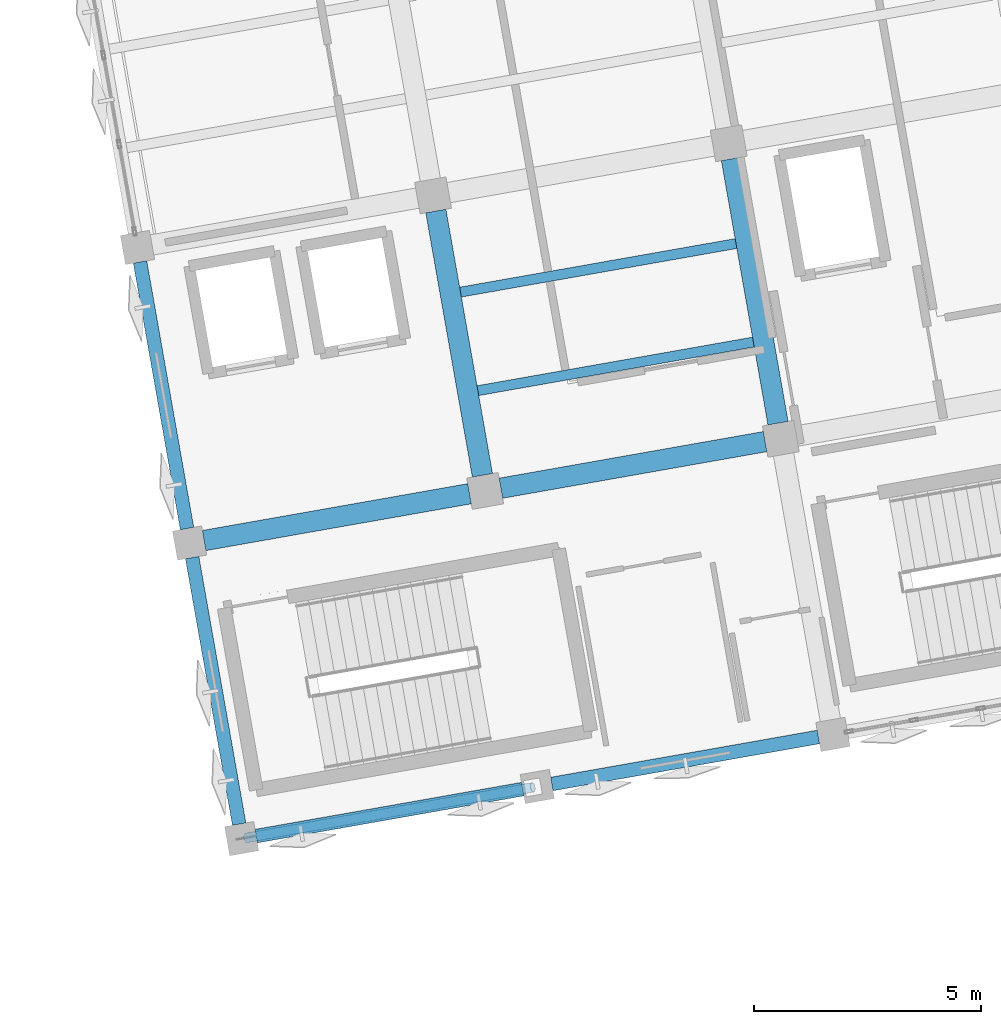
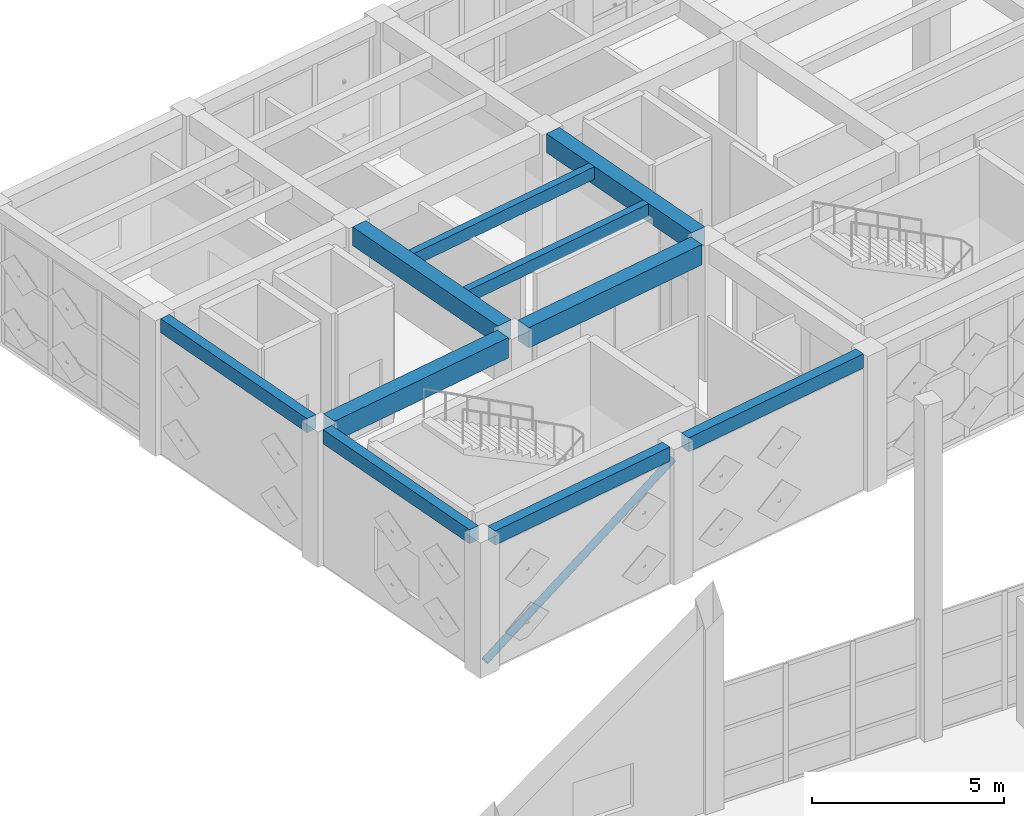
# One storey, part 4 of 39: 10 beams, 1 member.
"""IFC4 building model written with IfcOpenShell, lengths in metres."""

import ifcopenshell
import ifcopenshell.guid

model = None  # the IFC model being written
_history = None  # IfcOwnerHistory: only IFC2X3 demands one
_inside = {}  # id of a spatial element -> (the spatial element, [elements in it])
_under = {}  # id of a project, library or spatial element -> (it, [spatial elements below it])
_declared = {}  # id of a project -> (the project, [libraries it declares])
_typed = {}  # id of a type object -> (the type object, [elements of that type])
_made_of = {}  # id of a material, layer set ... -> (it, [elements and type objects made of it])


def new_model(schema):
    """Start an empty IFC model of exactly this schema.

    Asked for "IFC4X3", IfcOpenShell would pick the latest addendum, in which some entities
    have other attributes; the version numbers below select the first issue.
    IFC2X3 requires an IfcOwnerHistory on every rooted entity: one is made here for all.
    """
    global model, _history
    if schema == "IFC4X3":
        model = ifcopenshell.file(schema_version=(4, 3, 0, 0))
    else:
        model = ifcopenshell.file(schema=schema)
    _inside.clear()
    _under.clear()
    _declared.clear()
    _typed.clear()
    _made_of.clear()
    _history = None
    if model.schema == "IFC2X3":
        org = make("IfcOrganization", Name="unknown")
        user = make(
            "IfcPersonAndOrganization",
            ThePerson=make("IfcPerson", FamilyName="unknown"),
            TheOrganization=org,
        )
        app = make(
            "IfcApplication",
            ApplicationDeveloper=org,
            Version="unknown",
            ApplicationFullName="unknown",
            ApplicationIdentifier="unknown",
        )
        _history = make(
            "IfcOwnerHistory",
            OwningUser=user,
            OwningApplication=app,
            ChangeAction="ADDED",
            CreationDate=0,
        )
    return model


def make(cls, **values):
    """One entity of the class cls with the attributes given. An attribute that is None is left unset."""
    return model.create_entity(
        cls, **{name: value for name, value in values.items() if value is not None}
    )


def rooted(cls, **values):
    """An entity with a GlobalId (a new one), such as an element, a storey or a relation."""
    return make(cls, GlobalId=ifcopenshell.guid.new(), OwnerHistory=_history, **values)


def si_unit(unit_type, name, prefix=None):
    """IfcSIUnit, for example si_unit("LENGTHUNIT", "METRE", prefix="MILLI")."""
    return make("IfcSIUnit", UnitType=unit_type, Prefix=prefix, Name=name)


def assignment(units):
    """IfcUnitAssignment: the units of a project."""
    return None if units is None else make("IfcUnitAssignment", Units=units)


def point(xyz):
    """IfcCartesianPoint."""
    return None if xyz is None else make("IfcCartesianPoint", Coordinates=xyz)


def direction(xyz):
    """IfcDirection."""
    return None if xyz is None else make("IfcDirection", DirectionRatios=xyz)


def frame(location, z_axis=None, x_axis=None):
    """IfcAxis2Placement3D, a coordinate frame: its origin and axes. An axis left out is left unset."""
    return make(
        "IfcAxis2Placement3D",
        Location=point(location),
        Axis=direction(z_axis),
        RefDirection=direction(x_axis),
    )


def frame_2d(location, x_axis=None):
    """IfcAxis2Placement2D, a coordinate frame in the plane: its origin and x axis."""
    return make(
        "IfcAxis2Placement2D", Location=point(location), RefDirection=direction(x_axis)
    )


def origin():
    """The frame at (0, 0, 0) with its axes left unset."""
    return frame((0.0, 0.0, 0.0))


def origin_2d():
    """The frame at (0, 0) in the plane with its x axis left unset."""
    return frame_2d((0.0, 0.0))


def place(relative_to, where):
    """IfcLocalPlacement: puts the frame where relative to a parent placement (None: the world)."""
    return make(
        "IfcLocalPlacement", PlacementRelTo=relative_to, RelativePlacement=where
    )


def context(
    kind, dimensions, precision=None, world=None, true_north=None, identifier=None
):
    """IfcGeometricRepresentationContext, for example the 3D "Model" context."""
    return make(
        "IfcGeometricRepresentationContext",
        ContextIdentifier=identifier,
        ContextType=kind,
        CoordinateSpaceDimension=dimensions,
        Precision=precision,
        WorldCoordinateSystem=world,
        TrueNorth=true_north,
    )


def subcontext(parent, identifier, kind, view, scale=None):
    """IfcGeometricRepresentationSubContext, for example "Body" below "Model"."""
    return make(
        "IfcGeometricRepresentationSubContext",
        ContextIdentifier=identifier,
        ContextType=kind,
        ParentContext=parent,
        TargetScale=scale,
        TargetView=view,
    )


def project(units=None, contexts=None):
    """IfcProject with its units and contexts."""
    return rooted(
        "IfcProject",
        Name="project",
        RepresentationContexts=contexts,
        UnitsInContext=assignment(units),
    )


def spatial(cls, under=None, at=None, **own):
    """A site, building, storey or space (cls), placed at a placement, below another one or the project."""
    s = rooted(cls, ObjectPlacement=at, **own)
    if under is not None:
        _under.setdefault(under.id(), (under, []))[1].append(s)
    return s


def profile(cls, at=None, kind="AREA", **sizes):
    """A parametric profile (cls). Its sizes go by their IFC names, for example OverallWidth=200.0."""
    return make(cls, ProfileType=kind, Position=at, **sizes)


def rectangle(**sizes):
    """IfcRectangleProfileDef."""
    return profile("IfcRectangleProfileDef", **sizes)


def hollow_circle(**sizes):
    """IfcCircleHollowProfileDef."""
    return profile("IfcCircleHollowProfileDef", **sizes)


def extrude(swept, where, along, depth):
    """IfcExtrudedAreaSolid: the profile swept, set in the frame where, extruded along a direction by depth."""
    return make(
        "IfcExtrudedAreaSolid",
        SweptArea=swept,
        Position=where,
        ExtrudedDirection=direction(along),
        Depth=depth,
    )


def shape(context_of_items, identifier, shape_type, items):
    """IfcShapeRepresentation: the items that make up one representation, for example the "Body"."""
    return make(
        "IfcShapeRepresentation",
        ContextOfItems=context_of_items,
        RepresentationIdentifier=identifier,
        RepresentationType=shape_type,
        Items=items,
    )


def material(Name=None, Category=None):
    """IfcMaterial."""
    return make("IfcMaterial", Name=Name, Category=Category)


def material_profile(
    of_material, cross_section, Name=None, Category=None, Priority=None
):
    """IfcMaterialProfile: a cross section and its material."""
    return make(
        "IfcMaterialProfile",
        Name=Name,
        Material=of_material,
        Profile=cross_section,
        Priority=Priority,
        Category=Category,
    )


def profile_set(profiles, Name=None, composite=None):
    """IfcMaterialProfileSet."""
    return make(
        "IfcMaterialProfileSet",
        Name=Name,
        MaterialProfiles=profiles,
        CompositeProfile=composite,
    )


def made_of(thing, what):
    """Note that an element or type object is made of a material, layer set ...; save() writes the relation."""
    if what is not None:
        _made_of.setdefault(what.id(), (what, []))[1].append(thing)
    return thing


def type_object(cls, material=None, **own):
    """A type object (cls), such as IfcWallType, which elements share."""
    return made_of(rooted(cls, **own), material)


def element(
    cls,
    number,
    at=None,
    inside=None,
    cuts=None,
    type_object=None,
    material=None,
    context=None,
    identifier="Body",
    shape_type=None,
    held_by="IfcProductDefinitionShape",
    body=None,
    shapes=None,
    **own,
):
    """One element of the class cls, such as IfcWall. Its Tag is "e" and its number.

    at: its placement. inside: the storey or other place that contains it. cuts: it is an
    opening in that element (IfcRelVoidsElement). A single representation is given by context,
    identifier, shape_type and body (its items); several are given by shapes. held_by: the class
    of the entity that holds the representations. save() writes the other relations.
    """
    e = rooted(cls, Tag="e%d" % number, ObjectPlacement=at, **own)
    if body is not None:
        shapes = [shape(context, identifier, shape_type, body)]
    if shapes is not None:
        e.Representation = make(held_by, Representations=shapes)
    if inside is not None:
        _inside.setdefault(inside.id(), (inside, []))[1].append(e)
    if cuts is not None:
        rooted(
            "IfcRelVoidsElement", RelatingBuildingElement=cuts, RelatedOpeningElement=e
        )
    if type_object is not None:
        _typed.setdefault(type_object.id(), (type_object, []))[1].append(e)
    return made_of(e, material)


def aggregate(whole, parts):
    """IfcRelAggregates: a whole, such as a stair, and the parts it consists of."""
    return rooted("IfcRelAggregates", RelatingObject=whole, RelatedObjects=parts)


def save(model, path):
    """Write the relations noted so far, then the file.

    IfcRelAggregates (storeys below a building ...), IfcRelContainedInSpatialStructure (elements
    in a storey), IfcRelDefinesByType, IfcRelAssociatesMaterial and IfcRelDeclares: one each for
    every whole, place, type object, material and project.
    """
    for whole, parts in _under.values():
        aggregate(whole, parts)
    for where, things in _inside.values():
        rooted(
            "IfcRelContainedInSpatialStructure",
            RelatedElements=things,
            RelatingStructure=where,
        )
    for kind, things in _typed.values():
        rooted("IfcRelDefinesByType", RelatedObjects=things, RelatingType=kind)
    for what, things in _made_of.values():
        rooted("IfcRelAssociatesMaterial", RelatedObjects=things, RelatingMaterial=what)
    for by, libraries in _declared.values():
        rooted("IfcRelDeclares", RelatingContext=by, RelatedDefinitions=libraries)
    model.write(path)


model = new_model("IFC4")

# Units and contexts
model_context = context("Model", 3, precision=1e-05, world=origin(), true_north=direction((0.0, 1.0)))
body_context = subcontext(model_context, "Body", "Model", "MODEL_VIEW")
ifc_project = project(units=[si_unit("LENGTHUNIT", "METRE"), si_unit("AREAUNIT", "SQUARE_METRE"), si_unit("VOLUMEUNIT", "CUBIC_METRE"), si_unit("PLANEANGLEUNIT", "RADIAN"), si_unit("MASSUNIT", "GRAM", prefix="KILO")], contexts=[model_context])

# Site, building, storey
site_placement = place(None, origin())
site = spatial("IfcSite", under=ifc_project, at=site_placement, CompositionType="ELEMENT")
building_placement = place(site_placement, origin())
building = spatial("IfcBuilding", under=site, at=building_placement, Name="Kharisveld Research Institute", CompositionType="ELEMENT")
storey_placement = place(building_placement, frame((0.0, 0.0, 18.60009765625)))
storey = spatial("IfcBuildingStorey", under=building, at=storey_placement, Name="L04", CompositionType="ELEMENT", Elevation=18.60009765625)

# Beams
ifc_material_1 = material(Name="Concrete C40/50", Category="concrete")
ifc_material_profile_1 = material_profile(ifc_material_1, rectangle(XDim=0.449951171875, YDim=0.60009765625, at=origin_2d()))
ifc_profile_set_1 = profile_set([ifc_material_profile_1], Name="Concrete C40/50")
beam_type_1 = type_object("IfcBeamType", Name="BM_RC_450x600", PredefinedType="BEAM", material=ifc_profile_set_1)
beam_1_placement = place(storey_placement, frame((10.492919921875, 43.00048828125, 4.02001953125), z_axis=(-0.173672023659, 0.984803548023, 0.0), x_axis=(-0.984803548023, -0.173672023659, 0.0)))
element("IfcBeam", 1, at=beam_1_placement, inside=storey, type_object=beam_type_1, Name="BM:V1:L04:V1_1", PredefinedType="BEAM", context=body_context, shape_type="SweptSolid", body=[
    extrude(rectangle(XDim=0.449951171875, YDim=0.60009765625, at=origin_2d()), origin(), (0.0, 0.0, 1.0), 5.89990234375),
])
beam_2_placement = place(storey_placement, frame((16.99267578125, 44.146484375, 4.02001953125), z_axis=(-0.173664946598, 0.98480479605, 0.0), x_axis=(-0.98480479605, -0.173664946598, 0.0)))
element("IfcBeam", 2, at=beam_2_placement, inside=storey, type_object=beam_type_1, Name="BM:V1:L04:V2_1", PredefinedType="BEAM", context=body_context, shape_type="SweptSolid", body=[
    extrude(rectangle(XDim=0.449951171875, YDim=0.60009765625, at=origin_2d()), origin(), (0.0, 0.0, 1.0), 5.900146484375),
])
ifc_material_2 = material(Name="Concrete C40/50", Category="concrete")
ifc_material_profile_2 = material_profile(ifc_material_2, rectangle(XDim=0.449951171875, YDim=0.64990234375, at=origin_2d()))
ifc_profile_set_2 = profile_set([ifc_material_profile_2], Name="Concrete C40/50")
beam_type_2 = type_object("IfcBeamType", Name="BM_RC_450x650", PredefinedType="BEAM", material=ifc_profile_set_2)
beam_3_placement = place(storey_placement, frame((4.3740234375, 41.566162109375, 3.994873046875), z_axis=(0.984809266846, 0.173639592071, 0.0), x_axis=(-0.173639592071, 0.984809266846, 0.0)))
element("IfcBeam", 3, at=beam_3_placement, inside=storey, type_object=beam_type_2, Name="BM:V1:L04:U0_1", PredefinedType="BEAM", context=body_context, shape_type="SweptSolid", body=[
    extrude(rectangle(XDim=0.449951171875, YDim=0.64990234375, at=origin_2d()), origin(), (0.0, 0.0, 1.0), 5.925048828125),
])
beam_4_placement = place(storey_placement, frame((10.8984375, 42.716552734375, 3.994873046875), z_axis=(0.984803548023, 0.173672023659, 0.0), x_axis=(-0.173672023659, 0.984803548023, 0.0)))
element("IfcBeam", 4, at=beam_4_placement, inside=storey, type_object=beam_type_2, Name="BM:V1:L04:U1_1", PredefinedType="BEAM", context=body_context, shape_type="SweptSolid", body=[
    extrude(rectangle(XDim=0.449951171875, YDim=0.64990234375, at=origin_2d()), origin(), (0.0, 0.0, 1.0), 5.89990234375),
])

# Member
ifc_material_3 = material(Name="Steel S355J2H", Category="steel")
ifc_material_profile_3 = material_profile(ifc_material_3, hollow_circle(Radius=0.109619140625, WallThickness=0.010009765625, at=origin_2d()))
ifc_profile_set_3 = profile_set([ifc_material_profile_3], Name="Steel S355J2H")
member_type = type_object("IfcMemberType", Name="BR_CHS219", PredefinedType="BRACE", material=ifc_profile_set_3)
member_placement = place(storey_placement, frame((5.298583984375, 35.02734375, 0.199951171875), z_axis=(0.860046737569, 0.151647534452, 0.487157710082), x_axis=(-0.173646056486, 0.984808127031, 0.0)))
element("IfcMember", 5, at=member_placement, inside=storey, type_object=member_type, Name="MEM:V1:L04:BR_0_0", PredefinedType="BRACE", context=body_context, shape_type="SweptSolid", body=[
    extrude(hollow_circle(Radius=0.109619140625, WallThickness=0.010009765625, at=origin_2d()), origin(), (0.0, 0.0, 1.0), 7.328369140625),
])

# Beams
ifc_material_4 = material(Name="Concrete C40/50", Category="concrete")
ifc_material_profile_4 = material_profile(ifc_material_4, rectangle(XDim=0.300048828125, YDim=0.449951171875, at=origin_2d()))
ifc_profile_set_4 = profile_set([ifc_material_profile_4], Name="Concrete C40/50")
beam_type_3 = type_object("IfcBeamType", Name="SP_RC_300x450", PredefinedType="SPANDREL", material=ifc_profile_set_4)
for number, where, z_axis, x_axis, name in (
    (6, (5.52001953125, 35.06640625, 4.094970703125), (0.984807920462, 0.173647228007, 0.0), (-0.173647228007, 0.984807920462, 0.0), "BM:V1:L04:U0_0"),
    (7, (12.019775390625, 36.21240234375, 4.094970703125), (0.984807920462, 0.173647228007, 0.0), (-0.173647228007, 0.984807920462, 0.0), "BM:V1:L04:U1_0"),
    (8, (5.1435546875, 35.330078125, 4.094970703125), (-0.173647228007, 0.984807920462, 0.0), (-0.984807920462, -0.173647228007, 0.0), "BM:V1:L04:V0_0"),
    (9, (3.99755859375, 41.829833984375, 4.094970703125), (-0.173647228007, 0.984807920462, 0.0), (-0.984807920462, -0.173647228007, 0.0), "BM:V1:L04:V0_1"),
):
    element("IfcBeam", number, at=place(storey_placement, frame(where, z_axis=z_axis, x_axis=x_axis)), inside=storey, type_object=beam_type_3, Name=name, PredefinedType="SPANDREL", context=body_context, shape_type="SweptSolid", body=[
        extrude(rectangle(XDim=0.300048828125, YDim=0.449951171875, at=origin_2d()), origin(), (0.0, 0.0, 1.0), 5.949951171875),
    ])
ifc_material_5 = material(Name="Concrete C40/50", Category="concrete")
ifc_material_profile_5 = material_profile(ifc_material_5, rectangle(XDim=0.219970703125, YDim=0.39990234375, at=origin_2d()))
ifc_profile_set_5 = profile_set([ifc_material_profile_5], Name="Concrete C40/50")
beam_type_4 = type_object("IfcBeamType", Name="WB_RC_220x400", PredefinedType="JOIST", material=ifc_profile_set_5)
beam_5_placement = place(storey_placement, frame((10.393310546875, 44.861572265625, 4.119873046875), z_axis=(0.984808726596, 0.17364265611, 0.0), x_axis=(-0.17364265611, 0.984808726596, 0.0)))
element("IfcBeam", 10, at=beam_5_placement, inside=storey, type_object=beam_type_4, Name="BM:V1:L04:J_1_1_R1", PredefinedType="JOIST", context=body_context, shape_type="SweptSolid", body=[
    extrude(rectangle(XDim=0.219970703125, YDim=0.39990234375, at=origin_2d()), origin(), (0.0, 0.0, 1.0), 6.14990234375),
])
beam_6_placement = place(storey_placement, frame((10.01123046875, 47.028076171875, 4.119873046875), z_axis=(0.984809923515, 0.173635867682, 0.0), x_axis=(-0.173635867682, 0.984809923515, 0.0)))
element("IfcBeam", 11, at=beam_6_placement, inside=storey, type_object=beam_type_4, Name="BM:V1:L04:J_1_1_R2", PredefinedType="JOIST", context=body_context, shape_type="SweptSolid", body=[
    extrude(rectangle(XDim=0.219970703125, YDim=0.39990234375, at=origin_2d()), origin(), (0.0, 0.0, 1.0), 6.150146484375),
])

save(model, "model.ifc")
